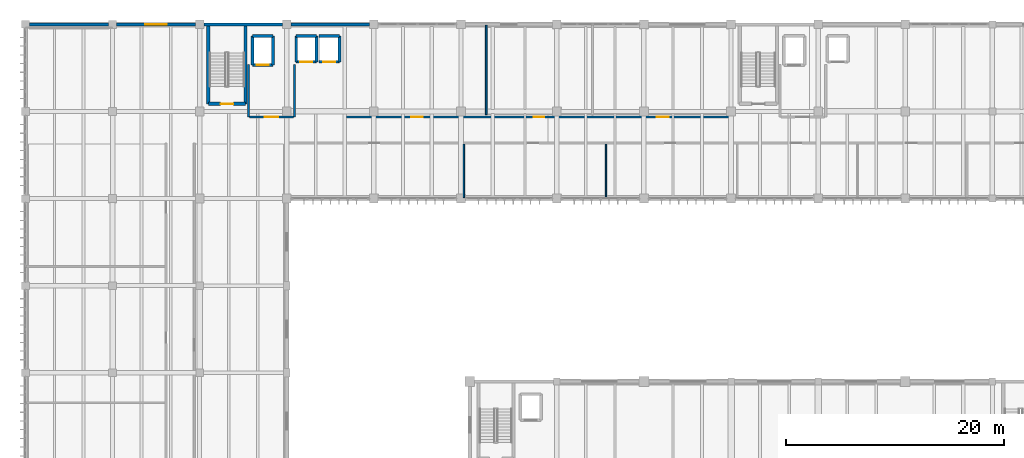
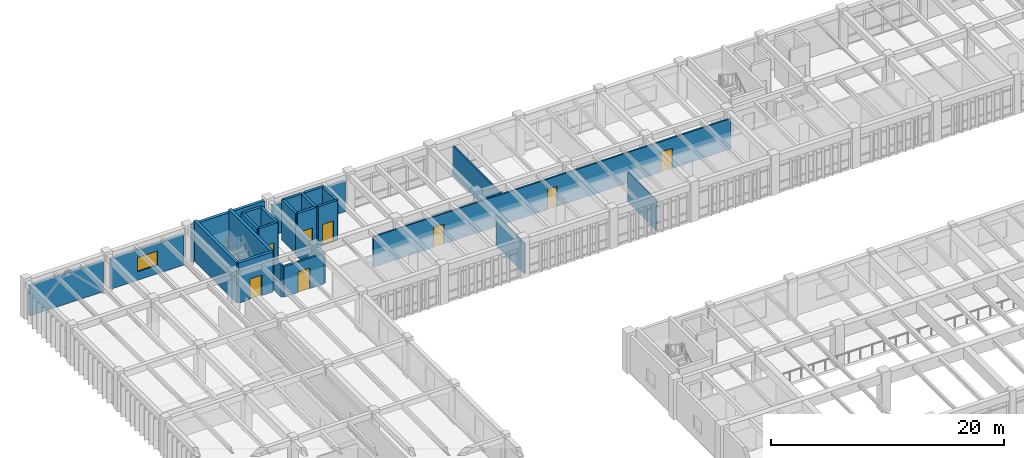
# One storey, part 47 of 67: 25 walls, 8 doors, 1 window, 9 openings.
"""IFC4 building model written with IfcOpenShell, lengths in metres."""

from ifc_helpers import new_model, si_unit, direction, frame, frame_2d, origin, place, context, subcontext, project, spatial, rectangle, extrude, material, layer, layer_set, type_object, element, fill, save


model = new_model("IFC4")

# Units and contexts
model_context = context("Model", 3, precision=1e-05, world=origin(), true_north=direction((0.0, 1.0)))
body_context = subcontext(model_context, "Body", "Model", "MODEL_VIEW")
ifc_project = project(units=[si_unit("LENGTHUNIT", "METRE"), si_unit("AREAUNIT", "SQUARE_METRE"), si_unit("VOLUMEUNIT", "CUBIC_METRE"), si_unit("PLANEANGLEUNIT", "RADIAN"), si_unit("MASSUNIT", "GRAM", prefix="KILO")], contexts=[model_context])

# Site, building, storey
site_placement = place(None, origin())
site = spatial("IfcSite", under=ifc_project, at=site_placement, CompositionType="ELEMENT")
building_placement = place(site_placement, origin())
building = spatial("IfcBuilding", under=site, at=building_placement, Name="Tlaxcora Railside Police Headquarters", CompositionType="ELEMENT")
storey_placement = place(building_placement, frame((0.0, 0.0, 4.800048828125)))
storey = spatial("IfcBuildingStorey", under=building, at=storey_placement, Name="L01", CompositionType="ELEMENT", Elevation=4.800048828125)

# Wall
ifc_material_1 = material(Name="Gypsum acoustic partition board")
ifc_layer_1 = layer(ifc_material_1, 0.1201171875, Name="Gypsum acoustic partition board")
ifc_layer_set_1 = layer_set([ifc_layer_1], Name="Gypsum acoustic partition board")
wall_type_1 = type_object("IfcWallType", Name="Interior Partition Wall IW-37", PredefinedType="PARTITIONING", material=ifc_layer_set_1)
wall_1_placement = place(storey_placement, frame((45.467041015625, 76.8798828125, 0.0), z_axis=(0.0, 0.0, 1.0), x_axis=(0.0, 1.0, 0.0)))
element("IfcWall", 1, at=wall_1_placement, inside=storey, type_object=wall_type_1, Name="V5 L01 interior partition 105", PredefinedType="PARTITIONING", context=body_context, shape_type="SweptSolid", body=[
    extrude(rectangle(XDim=4.920166015625, YDim=0.1201171875, at=frame_2d((2.4599609375, 0.0))), origin(), (0.0, 0.0, 1.0), 3.195068359375),
])

# Wall, opening, door
ifc_material_2 = material(Name="Pressed clay brick masonry", Category="masonry")
ifc_layer_2 = layer(ifc_material_2, 0.199951171875, Name="Pressed clay brick masonry")
ifc_layer_set_2 = layer_set([ifc_layer_2], Name="Pressed clay brick masonry")
wall_type_2 = type_object("IfcWallType", Name="Interior Partition Wall IW-60", PredefinedType="PARTITIONING", material=ifc_layer_set_2)
wall_2_placement = place(storey_placement, frame((25.800048828125, 84.300048828125, 0.0), z_axis=(0.0, 0.0, 1.0), x_axis=(1.0, 0.0, 0.0)))
wall_2 = element("IfcWall", 2, at=wall_2_placement, inside=storey, type_object=wall_type_2, Name="V5 L01 interior partition 68", PredefinedType="PARTITIONING", context=body_context, shape_type="SweptSolid", body=[
    extrude(rectangle(XDim=4.0, YDim=0.199951171875, at=frame_2d((2.0, 0.0))), origin(), (0.0, 0.0, 1.0), 3.195068359375),
])
opening_1_placement = place(wall_2_placement, frame((1.39990234375, 0.0, 0.0)))
opening_1 = element("IfcOpeningElement", 3, at=opening_1_placement, cuts=wall_2, Name="Opening D-L01-118", PredefinedType="OPENING", context=body_context, shape_type="SweptSolid", body=[
    extrude(rectangle(XDim=1.199951171875, YDim=2.14990234375, at=frame_2d((0.60009765625, 1.074951171875))), frame((0.0, 0.10986328125, 0.0), z_axis=(0.0, -1.0, 0.0), x_axis=(1.0, 0.0, 0.0)), (0.0, 0.0, 1.0), 0.219970703125),
])
ifc_material_3 = material(Name="Steel ASTM A992 Grade 50", Category="steel")
door_type_1 = type_object("IfcDoorType", Name="Swing or Sliding Personnel Door ID-14", OperationType="NOTDEFINED", PredefinedType="DOOR", material=ifc_material_3)
door_1_placement = place(opening_1_placement, origin())
door_1 = element("IfcDoor", 4, at=door_1_placement, inside=storey, type_object=door_type_1, Name="V5 L01 door D-L01-118", OperationType="DOUBLE_DOOR_SINGLE_SWING", OverallHeight=2.14990234375, OverallWidth=1.199951171875, PredefinedType="DOOR", context=body_context, shape_type="SweptSolid", body=[
    extrude(rectangle(XDim=1.199951171875, YDim=2.14990234375, at=frame_2d((0.60009765625, 1.074951171875))), frame((0.0, 0.02490234375, 0.0), z_axis=(0.0, -1.0, 0.0), x_axis=(1.0, 0.0, 0.0)), (0.0, 0.0, 1.0), 0.050048828125),
])
fill(opening_1, door_1)

# Walls
wall_3_placement = place(storey_placement, frame((25.699951171875, 84.300048828125, 0.0), z_axis=(0.0, 0.0, 1.0), x_axis=(0.0, 1.0, 0.0)))
element("IfcWall", 5, at=wall_3_placement, inside=storey, type_object=wall_type_2, Name="V5 L01 interior partition 69", PredefinedType="PARTITIONING", context=body_context, shape_type="SweptSolid", body=[
    extrude(rectangle(XDim=4.800048828125, YDim=0.199951171875, at=frame_2d((2.39990234375, 0.0))), origin(), (0.0, 0.0, 1.0), 3.344970703125),
])
wall_4_placement = place(storey_placement, frame((29.89990234375, 84.300048828125, 0.0), z_axis=(0.0, 0.0, 1.0), x_axis=(0.0, 1.0, 0.0)))
element("IfcWall", 6, at=wall_4_placement, inside=storey, type_object=wall_type_2, Name="V5 L01 interior partition 70", PredefinedType="PARTITIONING", context=body_context, shape_type="SweptSolid", body=[
    extrude(rectangle(XDim=4.800048828125, YDim=0.199951171875, at=frame_2d((2.39990234375, 0.0))), origin(), (0.0, 0.0, 1.0), 3.044921875),
])
ifc_layer_3 = layer(ifc_material_1, 0.159912109375, Name="Gypsum acoustic partition board")
ifc_layer_set_3 = layer_set([ifc_layer_3], Name="Gypsum acoustic partition board")
wall_type_3 = type_object("IfcWallType", Name="Interior Partition Wall IW-73", PredefinedType="PARTITIONING", material=ifc_layer_set_3)
wall_5_placement = place(storey_placement, frame((47.510986328125, 84.5, 0.0), z_axis=(0.0, 0.0, 1.0), x_axis=(0.0, 1.0, 0.0)))
element("IfcWall", 7, at=wall_5_placement, inside=storey, type_object=wall_type_3, Name="V5 L01 interior partition 111", PredefinedType="PARTITIONING", context=body_context, shape_type="SweptSolid", body=[
    extrude(rectangle(XDim=8.219970703125, YDim=0.159912109375, at=frame_2d((4.10986328125, 0.0))), origin(), (0.0, 0.0, 1.0), 3.14501953125),
])

# Wall, openings, doors
wall_6_placement = place(storey_placement, frame((34.699951171875, 84.300048828125, 0.0), z_axis=(0.0, 0.0, 1.0), x_axis=(1.0, 0.0, 0.0)))
wall_6 = element("IfcWall", 8, at=wall_6_placement, inside=storey, type_object=wall_type_3, Name="V5 L01 interior partition 113", PredefinedType="PARTITIONING", context=body_context, shape_type="SweptSolid", body=[
    extrude(rectangle(XDim=35.400146484375, YDim=0.159912109375, at=frame_2d((17.7001953125, 0.0))), origin(), (0.0, 0.0, 1.0), 3.195068359375),
])
opening_2_placement = place(wall_6_placement, frame((5.919921875, 0.0, 0.0)))
opening_2 = element("IfcOpeningElement", 9, at=opening_2_placement, cuts=wall_6, Name="Opening D-L01-151", PredefinedType="OPENING", context=body_context, shape_type="SweptSolid", body=[
    extrude(rectangle(XDim=1.050048828125, YDim=2.10009765625, at=frame_2d((0.52490234375, 1.050048828125))), frame((0.0, 0.08984375, 0.0), z_axis=(0.0, -1.0, 0.0), x_axis=(1.0, 0.0, 0.0)), (0.0, 0.0, 1.0), 0.179931640625),
])
opening_3_placement = place(wall_6_placement, frame((17.199951171875, 0.0, 0.0)))
opening_3 = element("IfcOpeningElement", 10, at=opening_3_placement, cuts=wall_6, Name="Opening D-L01-152", PredefinedType="OPENING", context=body_context, shape_type="SweptSolid", body=[
    extrude(rectangle(XDim=0.949951171875, YDim=2.14990234375, at=frame_2d((0.47509765625, 1.074951171875))), frame((0.0, 0.08984375, 0.0), z_axis=(0.0, -1.0, 0.0), x_axis=(1.0, 0.0, 0.0)), (0.0, 0.0, 1.0), 0.179931640625),
])
opening_4_placement = place(wall_6_placement, frame((28.47998046875, 0.0, 0.0)))
opening_4 = element("IfcOpeningElement", 11, at=opening_4_placement, cuts=wall_6, Name="Opening D-L01-153", PredefinedType="OPENING", context=body_context, shape_type="SweptSolid", body=[
    extrude(rectangle(XDim=1.10009765625, YDim=2.10009765625, at=frame_2d((0.550048828125, 1.050048828125))), frame((0.0, 0.08984375, 0.0), z_axis=(0.0, -1.0, 0.0), x_axis=(1.0, 0.0, 0.0)), (0.0, 0.0, 1.0), 0.179931640625),
])
door_type_2 = type_object("IfcDoorType", Name="Swing or Sliding Personnel Door ID-31", OperationType="NOTDEFINED", PredefinedType="DOOR", material=ifc_material_3)
door_2_placement = place(opening_3_placement, origin())
door_2 = element("IfcDoor", 12, at=door_2_placement, inside=storey, type_object=door_type_2, Name="V5 L01 door D-L01-152", OperationType="SINGLE_SWING_RIGHT", OverallHeight=2.14990234375, OverallWidth=0.949951171875, PredefinedType="DOOR", context=body_context, shape_type="SweptSolid", body=[
    extrude(rectangle(XDim=0.949951171875, YDim=2.14990234375, at=frame_2d((0.47509765625, 1.074951171875))), frame((0.0, 0.02490234375, 0.0), z_axis=(0.0, -1.0, 0.0), x_axis=(1.0, 0.0, 0.0)), (0.0, 0.0, 1.0), 0.050048828125),
])
fill(opening_3, door_2)
door_type_3 = type_object("IfcDoorType", Name="Swing or Sliding Personnel Door ID-52", OperationType="NOTDEFINED", PredefinedType="DOOR", material=ifc_material_3)
door_3_placement = place(opening_2_placement, origin())
door_3 = element("IfcDoor", 13, at=door_3_placement, inside=storey, type_object=door_type_3, Name="V5 L01 door D-L01-151", OperationType="SINGLE_SWING_LEFT", OverallHeight=2.10009765625, OverallWidth=1.050048828125, PredefinedType="DOOR", context=body_context, shape_type="SweptSolid", body=[
    extrude(rectangle(XDim=1.050048828125, YDim=2.10009765625, at=frame_2d((0.52490234375, 1.050048828125))), frame((0.0, 0.02490234375, 0.0), z_axis=(0.0, -1.0, 0.0), x_axis=(1.0, 0.0, 0.0)), (0.0, 0.0, 1.0), 0.050048828125),
])
fill(opening_2, door_3)
door_type_4 = type_object("IfcDoorType", Name="Swing or Sliding Personnel Door ID-66", OperationType="NOTDEFINED", PredefinedType="DOOR", material=ifc_material_3)
door_4_placement = place(opening_4_placement, origin())
door_4 = element("IfcDoor", 14, at=door_4_placement, inside=storey, type_object=door_type_4, Name="V5 L01 door D-L01-153", OperationType="SINGLE_SWING_LEFT", OverallHeight=2.10009765625, OverallWidth=1.10009765625, PredefinedType="DOOR", context=body_context, shape_type="SweptSolid", body=[
    extrude(rectangle(XDim=1.10009765625, YDim=2.10009765625, at=frame_2d((0.550048828125, 1.050048828125))), frame((0.0, 0.02490234375, 0.0), z_axis=(0.0, -1.0, 0.0), x_axis=(1.0, 0.0, 0.0)), (0.0, 0.0, 1.0), 0.050048828125),
])
fill(opening_4, door_4)

# Wall
ifc_layer_4 = layer(ifc_material_1, 0.114990234375, Name="Gypsum acoustic partition board")
ifc_layer_set_4 = layer_set([ifc_layer_4], Name="Gypsum acoustic partition board")
wall_type_4 = type_object("IfcWallType", Name="Interior Partition Wall IW-87", PredefinedType="PARTITIONING", material=ifc_layer_set_4)
wall_7_placement = place(storey_placement, frame((58.52099609375, 76.8798828125, 0.0), z_axis=(0.0, 0.0, 1.0), x_axis=(0.0, 1.0, 0.0)))
element("IfcWall", 15, at=wall_7_placement, inside=storey, type_object=wall_type_4, Name="V5 L01 interior partition 106", PredefinedType="PARTITIONING", context=body_context, shape_type="SweptSolid", body=[
    extrude(rectangle(XDim=4.920166015625, YDim=0.114990234375, at=frame_2d((2.4599609375, 0.0))), origin(), (0.0, 0.0, 1.0), 3.14501953125),
])

# Wall, opening, door
ifc_material_4 = material(Name="Concrete C40/50", Category="concrete")
ifc_layer_5 = layer(ifc_material_4, 0.25, Name="Concrete C40/50")
ifc_layer_set_5 = layer_set([ifc_layer_5], Name="Concrete C40/50")
wall_type_5 = type_object("IfcWallType", Name="Shear Core Wall IW-13", PredefinedType="SHEAR", material=ifc_layer_set_5)
wall_8_placement = place(storey_placement, frame((26.06005859375, 89.06005859375, 0.0), z_axis=(0.0, 0.0, 1.0), x_axis=(1.0, 0.0, 0.0)))
wall_8 = element("IfcWall", 16, at=wall_8_placement, inside=storey, type_object=wall_type_5, Name="Lift FFL-01 L01 shaft wall S", PredefinedType="SHEAR", context=body_context, shape_type="SweptSolid", body=[
    extrude(rectangle(XDim=1.8798828125, YDim=0.25, at=frame_2d((0.93994140625, 0.0))), origin(), (0.0, 0.0, 1.0), 4.199951171875),
])
opening_5_placement = place(wall_8_placement, frame((0.389892578125, 0.0, 0.0)))
opening_5 = element("IfcOpeningElement", 17, at=opening_5_placement, cuts=wall_8, Name="Opening LD-FFL-01-L01", PredefinedType="OPENING", context=body_context, shape_type="SweptSolid", body=[
    extrude(rectangle(XDim=1.10009765625, YDim=2.199951171875, at=frame_2d((0.550048828125, 1.10009765625))), frame((0.0, 0.135009765625, 0.0), z_axis=(0.0, -1.0, 0.0), x_axis=(1.0, 0.0, 0.0)), (0.0, 0.0, 1.0), 0.27001953125),
])
door_type_5 = type_object("IfcDoorType", Name="Swing or Sliding Personnel Door ID-15", OperationType="NOTDEFINED", PredefinedType="DOOR", material=ifc_material_3)
door_5_placement = place(opening_5_placement, origin())
door_5 = element("IfcDoor", 18, at=door_5_placement, inside=storey, type_object=door_type_5, Name="Lift FFL-01 L01 sliding landing door", OperationType="DOUBLE_DOOR_SLIDING", OverallHeight=2.199951171875, OverallWidth=1.10009765625, PredefinedType="DOOR", context=body_context, shape_type="SweptSolid", body=[
    extrude(rectangle(XDim=1.10009765625, YDim=2.199951171875, at=frame_2d((0.550048828125, 1.10009765625))), frame((0.0, 0.02490234375, 0.0), z_axis=(0.0, -1.0, 0.0), x_axis=(1.0, 0.0, 0.0)), (0.0, 0.0, 1.0), 0.050048828125),
])
fill(opening_5, door_5)

# Walls
wall_9_placement = place(storey_placement, frame((27.93994140625, 89.06005859375, 0.0), z_axis=(0.0, 0.0, 1.0), x_axis=(0.0, 1.0, 0.0)))
element("IfcWall", 19, at=wall_9_placement, inside=storey, type_object=wall_type_5, Name="Lift FFL-01 L01 shaft wall E", PredefinedType="SHEAR", context=body_context, shape_type="SweptSolid", body=[
    extrude(rectangle(XDim=2.679931640625, YDim=0.25, at=frame_2d((1.33984375, 0.0))), origin(), (0.0, 0.0, 1.0), 4.199951171875),
])
wall_10_placement = place(storey_placement, frame((27.93994140625, 91.739990234375, 0.0), z_axis=(0.0, 0.0, 1.0), x_axis=(-1.0, 0.0, 0.0)))
element("IfcWall", 20, at=wall_10_placement, inside=storey, type_object=wall_type_5, Name="Lift FFL-01 L01 shaft wall N", PredefinedType="SHEAR", context=body_context, shape_type="SweptSolid", body=[
    extrude(rectangle(XDim=1.8798828125, YDim=0.25, at=frame_2d((0.93994140625, 0.0))), origin(), (0.0, 0.0, 1.0), 4.199951171875),
])
wall_11_placement = place(storey_placement, frame((26.06005859375, 91.739990234375, 0.0), z_axis=(0.0, 0.0, 1.0), x_axis=(0.0, -1.0, 0.0)))
element("IfcWall", 21, at=wall_11_placement, inside=storey, type_object=wall_type_5, Name="Lift FFL-01 L01 shaft wall W", PredefinedType="SHEAR", context=body_context, shape_type="SweptSolid", body=[
    extrude(rectangle(XDim=2.679931640625, YDim=0.25, at=frame_2d((1.33984375, 0.0))), origin(), (0.0, 0.0, 1.0), 4.199951171875),
])

# Wall, opening, door
wall_12_placement = place(storey_placement, frame((30.06005859375, 89.360107421875, 0.0), z_axis=(0.0, 0.0, 1.0), x_axis=(1.0, 0.0, 0.0)))
wall_12 = element("IfcWall", 22, at=wall_12_placement, inside=storey, type_object=wall_type_5, Name="Lift PL-01 L01 shaft wall S", PredefinedType="SHEAR", context=body_context, shape_type="SweptSolid", body=[
    extrude(rectangle(XDim=1.8798828125, YDim=0.25, at=frame_2d((0.93994140625, 0.0))), origin(), (0.0, 0.0, 1.0), 4.199951171875),
])
opening_6_placement = place(wall_12_placement, frame((0.389892578125, 0.0, 0.0)))
opening_6 = element("IfcOpeningElement", 23, at=opening_6_placement, cuts=wall_12, Name="Opening LD-PL-01-L01", PredefinedType="OPENING", context=body_context, shape_type="SweptSolid", body=[
    extrude(rectangle(XDim=1.10009765625, YDim=2.199951171875, at=frame_2d((0.550048828125, 1.10009765625))), frame((0.0, 0.135009765625, 0.0), z_axis=(0.0, -1.0, 0.0), x_axis=(1.0, 0.0, 0.0)), (0.0, 0.0, 1.0), 0.27001953125),
])
door_6_placement = place(opening_6_placement, origin())
door_6 = element("IfcDoor", 24, at=door_6_placement, inside=storey, type_object=door_type_5, Name="Lift PL-01 L01 sliding landing door", OperationType="DOUBLE_DOOR_SLIDING", OverallHeight=2.199951171875, OverallWidth=1.10009765625, PredefinedType="DOOR", context=body_context, shape_type="SweptSolid", body=[
    extrude(rectangle(XDim=1.10009765625, YDim=2.199951171875, at=frame_2d((0.550048828125, 1.10009765625))), frame((0.0, 0.02490234375, 0.0), z_axis=(0.0, -1.0, 0.0), x_axis=(1.0, 0.0, 0.0)), (0.0, 0.0, 1.0), 0.050048828125),
])
fill(opening_6, door_6)

# Walls
wall_13_placement = place(storey_placement, frame((31.93994140625, 89.360107421875, 0.0), z_axis=(0.0, 0.0, 1.0), x_axis=(0.0, 1.0, 0.0)))
element("IfcWall", 25, at=wall_13_placement, inside=storey, type_object=wall_type_5, Name="Lift PL-01 L01 shaft wall E", PredefinedType="SHEAR", context=body_context, shape_type="SweptSolid", body=[
    extrude(rectangle(XDim=2.3798828125, YDim=0.25, at=frame_2d((1.18994140625, 0.0))), origin(), (0.0, 0.0, 1.0), 4.199951171875),
])
wall_14_placement = place(storey_placement, frame((31.93994140625, 91.739990234375, 0.0), z_axis=(0.0, 0.0, 1.0), x_axis=(-1.0, 0.0, 0.0)))
element("IfcWall", 26, at=wall_14_placement, inside=storey, type_object=wall_type_5, Name="Lift PL-01 L01 shaft wall N", PredefinedType="SHEAR", context=body_context, shape_type="SweptSolid", body=[
    extrude(rectangle(XDim=1.8798828125, YDim=0.25, at=frame_2d((0.93994140625, 0.0))), origin(), (0.0, 0.0, 1.0), 4.199951171875),
])
wall_15_placement = place(storey_placement, frame((30.06005859375, 91.739990234375, 0.0), z_axis=(0.0, 0.0, 1.0), x_axis=(0.0, -1.0, 0.0)))
element("IfcWall", 27, at=wall_15_placement, inside=storey, type_object=wall_type_5, Name="Lift PL-01 L01 shaft wall W", PredefinedType="SHEAR", context=body_context, shape_type="SweptSolid", body=[
    extrude(rectangle(XDim=2.3798828125, YDim=0.25, at=frame_2d((1.18994140625, 0.0))), origin(), (0.0, 0.0, 1.0), 4.199951171875),
])

# Wall, opening, door
wall_16_placement = place(storey_placement, frame((32.159912109375, 89.360107421875, 0.0), z_axis=(0.0, 0.0, 1.0), x_axis=(1.0, 0.0, 0.0)))
wall_16 = element("IfcWall", 28, at=wall_16_placement, inside=storey, type_object=wall_type_5, Name="Lift PL-02 L01 shaft wall S", PredefinedType="SHEAR", context=body_context, shape_type="SweptSolid", body=[
    extrude(rectangle(XDim=1.880126953125, YDim=0.25, at=frame_2d((0.93994140625, 0.0))), origin(), (0.0, 0.0, 1.0), 4.199951171875),
])
opening_7_placement = place(wall_16_placement, frame((0.389892578125, 0.0, 0.0)))
opening_7 = element("IfcOpeningElement", 29, at=opening_7_placement, cuts=wall_16, Name="Opening LD-PL-02-L01", PredefinedType="OPENING", context=body_context, shape_type="SweptSolid", body=[
    extrude(rectangle(XDim=1.10009765625, YDim=2.199951171875, at=frame_2d((0.550048828125, 1.10009765625))), frame((0.0, 0.135009765625, 0.0), z_axis=(0.0, -1.0, 0.0), x_axis=(1.0, 0.0, 0.0)), (0.0, 0.0, 1.0), 0.27001953125),
])
door_7_placement = place(opening_7_placement, origin())
door_7 = element("IfcDoor", 30, at=door_7_placement, inside=storey, type_object=door_type_5, Name="Lift PL-02 L01 sliding landing door", OperationType="DOUBLE_DOOR_SLIDING", OverallHeight=2.199951171875, OverallWidth=1.10009765625, PredefinedType="DOOR", context=body_context, shape_type="SweptSolid", body=[
    extrude(rectangle(XDim=1.10009765625, YDim=2.199951171875, at=frame_2d((0.550048828125, 1.10009765625))), frame((0.0, 0.02490234375, 0.0), z_axis=(0.0, -1.0, 0.0), x_axis=(1.0, 0.0, 0.0)), (0.0, 0.0, 1.0), 0.050048828125),
])
fill(opening_7, door_7)

# Walls
wall_17_placement = place(storey_placement, frame((34.0400390625, 89.360107421875, 0.0), z_axis=(0.0, 0.0, 1.0), x_axis=(0.0, 1.0, 0.0)))
element("IfcWall", 31, at=wall_17_placement, inside=storey, type_object=wall_type_5, Name="Lift PL-02 L01 shaft wall E", PredefinedType="SHEAR", context=body_context, shape_type="SweptSolid", body=[
    extrude(rectangle(XDim=2.3798828125, YDim=0.25, at=frame_2d((1.18994140625, 0.0))), origin(), (0.0, 0.0, 1.0), 4.199951171875),
])
wall_18_placement = place(storey_placement, frame((34.0400390625, 91.739990234375, 0.0), z_axis=(0.0, 0.0, 1.0), x_axis=(-1.0, 0.0, 0.0)))
element("IfcWall", 32, at=wall_18_placement, inside=storey, type_object=wall_type_5, Name="Lift PL-02 L01 shaft wall N", PredefinedType="SHEAR", context=body_context, shape_type="SweptSolid", body=[
    extrude(rectangle(XDim=1.880126953125, YDim=0.25, at=frame_2d((0.93994140625, 0.0))), origin(), (0.0, 0.0, 1.0), 4.199951171875),
])

# Wall, opening, door
ifc_layer_6 = layer(ifc_material_4, 0.300048828125, Name="Concrete C40/50")
ifc_layer_set_6 = layer_set([ifc_layer_6], Name="Concrete C40/50")
wall_type_6 = type_object("IfcWallType", Name="Shear Core Wall IW-28", PredefinedType="SHEAR", material=ifc_layer_set_6)
wall_19_placement = place(storey_placement, frame((22.0, 85.5, 0.0), z_axis=(0.0, 0.0, 1.0), x_axis=(1.0, 0.0, 0.0)))
wall_19 = element("IfcWall", 33, at=wall_19_placement, inside=storey, type_object=wall_type_6, Name="CORE-C1 L01 stair core wall S", PredefinedType="SHEAR", context=body_context, shape_type="SweptSolid", body=[
    extrude(rectangle(XDim=3.419921875, YDim=0.300048828125, at=frame_2d((1.7099609375, 0.0))), origin(), (0.0, 0.0, 1.0), 4.199951171875),
])
opening_8_placement = place(wall_19_placement, frame((1.135009765625, 0.0, 0.0)))
opening_8 = element("IfcOpeningElement", 34, at=opening_8_placement, cuts=wall_19, Name="Opening SD-L01-003", PredefinedType="OPENING", context=body_context, shape_type="SweptSolid", body=[
    extrude(rectangle(XDim=1.14990234375, YDim=2.14990234375, at=frame_2d((0.574951171875, 1.074951171875))), frame((0.0, 0.16015625, 0.0), z_axis=(0.0, -1.0, 0.0), x_axis=(1.0, 0.0, 0.0)), (0.0, 0.0, 1.0), 0.320068359375),
])
door_type_6 = type_object("IfcDoorType", Name="Swing or Sliding Personnel Door ID-73", OperationType="NOTDEFINED", PredefinedType="DOOR", material=ifc_material_3)
door_8_placement = place(opening_8_placement, origin())
door_8 = element("IfcDoor", 35, at=door_8_placement, inside=storey, type_object=door_type_6, Name="Stair ST1 L01 enclosure fire door", OperationType="SINGLE_SWING_LEFT", OverallHeight=2.14990234375, OverallWidth=1.14990234375, PredefinedType="DOOR", context=body_context, shape_type="SweptSolid", body=[
    extrude(rectangle(XDim=1.14990234375, YDim=2.14990234375, at=frame_2d((0.574951171875, 1.074951171875))), frame((0.0, 0.02490234375, 0.0), z_axis=(0.0, -1.0, 0.0), x_axis=(1.0, 0.0, 0.0)), (0.0, 0.0, 1.0), 0.050048828125),
])
fill(opening_8, door_8)

# Walls
for number, where, z_axis, x_axis, name in (
    (36, (25.419921875, 85.5, 0.0), (0.0, 0.0, 1.0), (0.0, 1.0, 0.0), "CORE-C1 L01 stair core wall E"),
    (37, (22.0, 92.800048828125, 0.0), (0.0, 0.0, 1.0), (0.0, -1.0, 0.0), "CORE-C1 L01 stair core wall W"),
):
    element("IfcWall", number, at=place(storey_placement, frame(where, z_axis=z_axis, x_axis=x_axis)), inside=storey, type_object=wall_type_6, Name=name, PredefinedType="SHEAR", context=body_context, shape_type="SweptSolid", body=[
        extrude(rectangle(XDim=7.300048828125, YDim=0.300048828125, at=frame_2d((3.64990234375, 0.0))), origin(), (0.0, 0.0, 1.0), 4.199951171875),
    ])
ifc_layer_7 = layer(ifc_material_2, 0.294921875, Name="Pressed clay brick masonry")
ifc_layer_set_7 = layer_set([ifc_layer_7], Name="Pressed clay brick masonry")
wall_type_7 = type_object("IfcWallType", Name="Structural Bearing Wall EW-74", PredefinedType="SOLIDWALL", material=ifc_layer_set_7)
wall_20_placement = place(storey_placement, frame((36.800048828125, 92.800048828125, 0.0), z_axis=(0.0, 0.0, 1.0), x_axis=(-1.0, 0.0, 0.0)))
element("IfcWall", 38, at=wall_20_placement, inside=storey, type_object=wall_type_7, Name="V5 L01 exterior wall 4.8", PredefinedType="SOLIDWALL", context=body_context, shape_type="SweptSolid", body=[
    extrude(rectangle(XDim=7.199951171875, YDim=0.294921875, at=frame_2d((3.60009765625, 0.0))), origin(), (0.0, 0.0, 1.0), 3.159912109375),
])
wall_21_placement = place(storey_placement, frame((28.800048828125, 92.800048828125, 0.0), z_axis=(0.0, 0.0, 1.0), x_axis=(-1.0, 0.0, 0.0)))
element("IfcWall", 39, at=wall_21_placement, inside=storey, type_object=wall_type_7, Name="V5 L01 exterior wall 4.9", PredefinedType="SOLIDWALL", context=body_context, shape_type="SweptSolid", body=[
    extrude(rectangle(XDim=7.199951171875, YDim=0.294921875, at=frame_2d((3.60009765625, 0.0))), origin(), (0.0, 0.0, 1.0), 3.909912109375),
])

# Wall, opening, window
wall_22_placement = place(storey_placement, frame((20.800048828125, 92.800048828125, 0.0), z_axis=(0.0, 0.0, 1.0), x_axis=(-1.0, 0.0, 0.0)))
wall_22 = element("IfcWall", 40, at=wall_22_placement, inside=storey, type_object=wall_type_7, Name="V5 L01 exterior wall 4.10", PredefinedType="SOLIDWALL", context=body_context, shape_type="SweptSolid", body=[
    extrude(rectangle(XDim=7.22509765625, YDim=0.294921875, at=frame_2d((3.612548828125, 0.0))), origin(), (0.0, 0.0, 1.0), 3.159912109375),
])
opening_9_placement = place(wall_22_placement, frame((2.612548828125, 0.0, 0.89990234375)))
opening_9 = element("IfcOpeningElement", 41, at=opening_9_placement, cuts=wall_22, Name="Opening WN-42", PredefinedType="OPENING", context=body_context, shape_type="SweptSolid", body=[
    extrude(rectangle(XDim=2.0, YDim=1.5, at=frame_2d((1.0, 0.75))), frame((0.0, 0.157470703125, 0.0), z_axis=(0.0, -1.0, 0.0), x_axis=(1.0, 0.0, 0.0)), (0.0, 0.0, 1.0), 0.31494140625),
])
ifc_material_5 = material(Name="Thermally broken low-E insulated glazing", Category="glass")
window_type = type_object("IfcWindowType", Name="Exterior Framed or Circular Window WN-42", PartitioningType="SINGLE_PANEL", PredefinedType="WINDOW", material=ifc_material_5)
window_placement = place(opening_9_placement, origin())
window = element("IfcWindow", 42, at=window_placement, inside=storey, type_object=window_type, Name="V5 L01 window 122", OverallHeight=1.5, OverallWidth=2.0, PartitioningType="SINGLE_PANEL", PredefinedType="WINDOW", context=body_context, shape_type="SweptSolid", body=[
    extrude(rectangle(XDim=2.0, YDim=1.5, at=frame_2d((1.0, 0.75))), frame((0.0, 0.030029296875, 0.0), z_axis=(0.0, -1.0, 0.0), x_axis=(1.0, 0.0, 0.0)), (0.0, 0.0, 1.0), 0.06005859375),
])
fill(opening_9, window)

# Wall
wall_23_placement = place(storey_placement, frame((12.824951171875, 92.800048828125, 0.0), z_axis=(0.0, 0.0, 1.0), x_axis=(-1.0, 0.0, 0.0)))
element("IfcWall", 43, at=wall_23_placement, inside=storey, type_object=wall_type_7, Name="V5 L01 exterior wall 4.11", PredefinedType="SOLIDWALL", context=body_context, shape_type="SweptSolid", body=[
    extrude(rectangle(XDim=7.27490234375, YDim=0.294921875, at=frame_2d((3.637451171875, 0.0))), origin(), (0.0, 0.0, 1.0), 3.159912109375),
])

save(model, "model.ifc")
